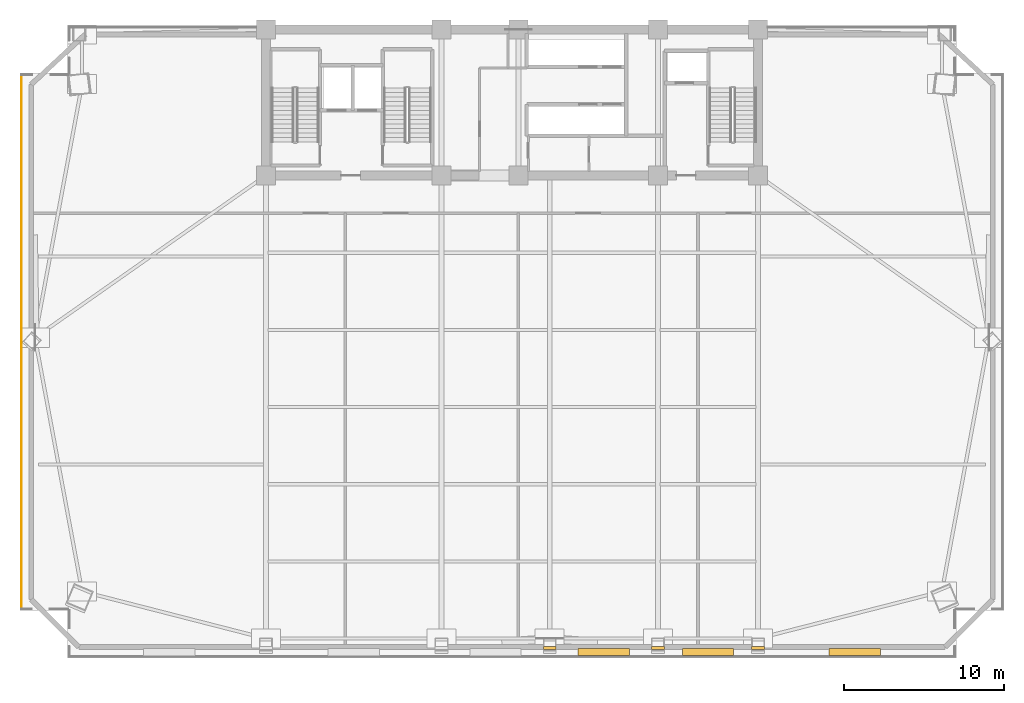
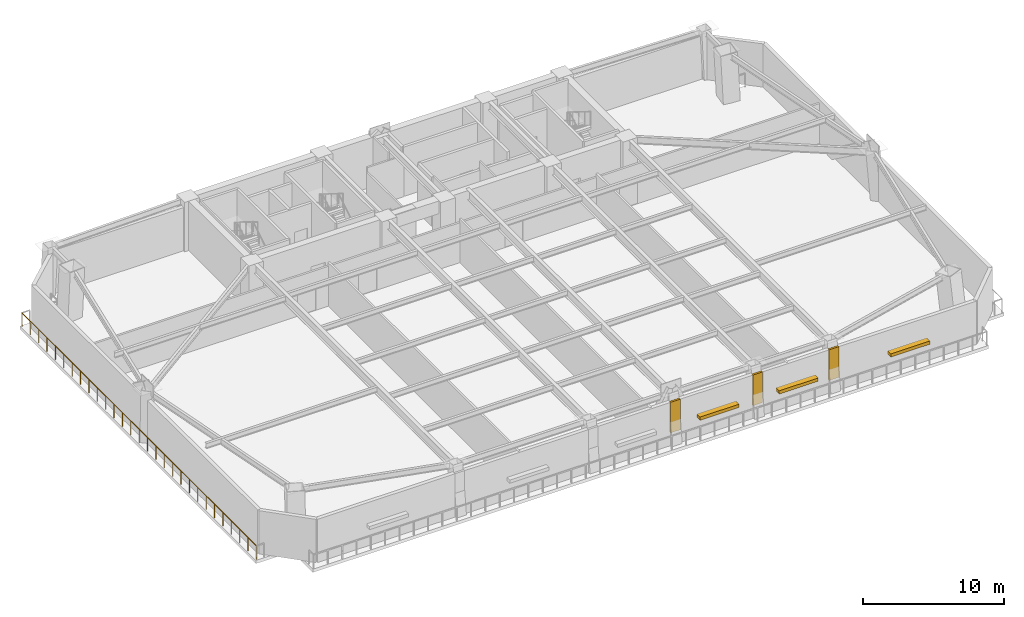
# One storey, part 6 of 9: 3 coverings, 3 shading devices, 1 railing.
"""IFC4 building model written with IfcOpenShell, lengths in metres."""

from ifc_helpers import new_model, si_unit, direction, frame, origin, origin_2d, place, context, subcontext, project, spatial, polyline, rectangle, outline, extrude, source, transform, mapped, material, layer, layer_set, type_object, element, save


model = new_model("IFC4")

# Units and contexts
model_context = context("Model", 3, precision=1e-05, world=origin(), true_north=direction((0.0, 1.0)))
body_context = subcontext(model_context, "Body", "Model", "MODEL_VIEW")
ifc_project = project(units=[si_unit("LENGTHUNIT", "METRE"), si_unit("AREAUNIT", "SQUARE_METRE"), si_unit("VOLUMEUNIT", "CUBIC_METRE"), si_unit("PLANEANGLEUNIT", "RADIAN"), si_unit("MASSUNIT", "GRAM", prefix="KILO")], contexts=[model_context])

# Site, building, storey
site_placement = place(None, origin())
site = spatial("IfcSite", under=ifc_project, at=site_placement, CompositionType="ELEMENT")
building_placement = place(site_placement, origin())
building = spatial("IfcBuilding", under=site, at=building_placement, Name="Giltprow Tower", CompositionType="ELEMENT")
storey_placement = place(building_placement, frame((0.0, 0.0, 144.699951171875)))
storey = spatial("IfcBuildingStorey", under=building, at=storey_placement, Name="L35", CompositionType="ELEMENT", Elevation=144.699951171875)

# Coverings
ifc_material = material(Name="Anodized bronze", Category="metal")
ifc_layer = layer(ifc_material, 0.0400390625, Name="Anodized bronze")
ifc_layer_set = layer_set([ifc_layer], Name="Anodized bronze")
covering_type = type_object("IfcCoveringType", Name="COV-SOFFIT-BRONZE", PredefinedType="CLADDING", material=ifc_layer_set)
covering_1_placement = place(storey_placement, frame((0.0, 0.0, 1.10009765625)))
element("IfcCovering", 1, at=covering_1_placement, inside=storey, type_object=covering_type, Name="L35 Setback Pier Closure Cladding S-3", PredefinedType="CLADDING", context=body_context, shape_type="SweptSolid", body=[
    extrude(outline(polyline([(37.14990234375, 7.89501953125), (37.949951171875, 7.89501953125), (37.949951171875, 8.06494140625), (37.14990234375, 8.06494140625), (37.14990234375, 7.89501953125)])), origin(), (0.0, 0.0, 1.0), 2.64990234375),
])
covering_2_placement = place(storey_placement, frame((0.0, 0.0, 1.10009765625)))
element("IfcCovering", 2, at=covering_2_placement, inside=storey, type_object=covering_type, Name="L35 Setback Pier Closure Cladding S-4", PredefinedType="CLADDING", context=body_context, shape_type="SweptSolid", body=[
    extrude(outline(polyline([(43.89990234375, 7.89501953125), (44.699951171875, 7.89501953125), (44.699951171875, 8.06494140625), (43.89990234375, 8.06494140625), (43.89990234375, 7.89501953125)])), origin(), (0.0, 0.0, 1.0), 2.64990234375),
])
covering_3_placement = place(storey_placement, frame((0.0, 0.0, 1.10009765625)))
element("IfcCovering", 3, at=covering_3_placement, inside=storey, type_object=covering_type, Name="L35 Setback Pier Closure Cladding S-5", PredefinedType="CLADDING", context=body_context, shape_type="SweptSolid", body=[
    extrude(outline(polyline([(50.14990234375, 7.89501953125), (50.949951171875, 7.89501953125), (50.949951171875, 8.06494140625), (50.14990234375, 8.06494140625), (50.14990234375, 7.89501953125)])), origin(), (0.0, 0.0, 1.0), 2.64990234375),
])

# Railing
railing_type = type_object("IfcRailingType", Name="RAIL-BALC-GUARD-1200", PredefinedType="BALUSTRADE", material=ifc_material)
railing_placement = place(storey_placement, frame((4.614013671875, 10.408935546875, 0.0)))
element("IfcRailing", 4, at=railing_placement, inside=storey, type_object=railing_type, Name="L35 Corner Apron Edge Balustrade 3", PredefinedType="BALUSTRADE", context=body_context, shape_type="SweptSolid", body=[
    extrude(rectangle(XDim=0.048095703125, YDim=0.048095703125, at=origin_2d()), frame((0.0, 0.0, 1.17578125), z_axis=(0.0, 1.0, 0.0), x_axis=(-1.0, 0.0, 0.0)), (0.0, 0.0, 1.0), 33.324951171875),
    extrude(rectangle(XDim=0.0419921875, YDim=0.0419921875, at=origin_2d()), origin(), (0.0, 0.0, 1.0), 1.15185546875),
    extrude(rectangle(XDim=0.0419921875, YDim=0.0419921875, at=origin_2d()), frame((0.0, 1.190185546875, 0.0)), (0.0, 0.0, 1.0), 1.15185546875),
    extrude(rectangle(XDim=0.0419921875, YDim=0.0419921875, at=origin_2d()), frame((0.0, 2.38037109375, 0.0)), (0.0, 0.0, 1.0), 1.15185546875),
    extrude(rectangle(XDim=0.0419921875, YDim=0.0419921875, at=origin_2d()), frame((0.0, 3.570556640625, 0.0)), (0.0, 0.0, 1.0), 1.15185546875),
    extrude(rectangle(XDim=0.0419921875, YDim=0.0419921875, at=origin_2d()), frame((0.0, 4.7607421875, 0.0)), (0.0, 0.0, 1.0), 1.15185546875),
    extrude(rectangle(XDim=0.0419921875, YDim=0.0419921875, at=origin_2d()), frame((0.0, 5.950927734375, 0.0)), (0.0, 0.0, 1.0), 1.15185546875),
    extrude(rectangle(XDim=0.0419921875, YDim=0.0419921875, at=origin_2d()), frame((0.0, 7.14111328125, 0.0)), (0.0, 0.0, 1.0), 1.15185546875),
    extrude(rectangle(XDim=0.0419921875, YDim=0.0419921875, at=origin_2d()), frame((0.0, 8.331298828125, 0.0)), (0.0, 0.0, 1.0), 1.15185546875),
    extrude(rectangle(XDim=0.0419921875, YDim=0.0419921875, at=origin_2d()), frame((0.0, 9.521484375, 0.0)), (0.0, 0.0, 1.0), 1.15185546875),
    extrude(rectangle(XDim=0.0419921875, YDim=0.0419921875, at=origin_2d()), frame((0.0, 10.711669921875, 0.0)), (0.0, 0.0, 1.0), 1.15185546875),
    extrude(rectangle(XDim=0.0419921875, YDim=0.0419921875, at=origin_2d()), frame((0.0, 11.90185546875, 0.0)), (0.0, 0.0, 1.0), 1.15185546875),
    extrude(rectangle(XDim=0.0419921875, YDim=0.0419921875, at=origin_2d()), frame((0.0, 13.092041015625, 0.0)), (0.0, 0.0, 1.0), 1.15185546875),
    extrude(rectangle(XDim=0.0419921875, YDim=0.0419921875, at=origin_2d()), frame((0.0, 14.2822265625, 0.0)), (0.0, 0.0, 1.0), 1.15185546875),
    extrude(rectangle(XDim=0.0419921875, YDim=0.0419921875, at=origin_2d()), frame((0.0, 15.472412109375, 0.0)), (0.0, 0.0, 1.0), 1.15185546875),
    extrude(rectangle(XDim=0.0419921875, YDim=0.0419921875, at=origin_2d()), frame((0.0, 16.66259765625, 0.0)), (0.0, 0.0, 1.0), 1.15185546875),
    extrude(rectangle(XDim=0.0419921875, YDim=0.0419921875, at=origin_2d()), frame((0.0, 17.8525390625, 0.0)), (0.0, 0.0, 1.0), 1.15185546875),
    extrude(rectangle(XDim=0.0419921875, YDim=0.0419921875, at=origin_2d()), frame((0.0, 19.042724609375, 0.0)), (0.0, 0.0, 1.0), 1.15185546875),
    extrude(rectangle(XDim=0.0419921875, YDim=0.0419921875, at=origin_2d()), frame((0.0, 20.23291015625, 0.0)), (0.0, 0.0, 1.0), 1.15185546875),
    extrude(rectangle(XDim=0.0419921875, YDim=0.0419921875, at=origin_2d()), frame((0.0, 21.423095703125, 0.0)), (0.0, 0.0, 1.0), 1.15185546875),
    extrude(rectangle(XDim=0.0419921875, YDim=0.0419921875, at=origin_2d()), frame((0.0, 22.61328125, 0.0)), (0.0, 0.0, 1.0), 1.15185546875),
    extrude(rectangle(XDim=0.0419921875, YDim=0.0419921875, at=origin_2d()), frame((0.0, 23.803466796875, 0.0)), (0.0, 0.0, 1.0), 1.15185546875),
    extrude(rectangle(XDim=0.0419921875, YDim=0.0419921875, at=origin_2d()), frame((0.0, 24.99365234375, 0.0)), (0.0, 0.0, 1.0), 1.15185546875),
    extrude(rectangle(XDim=0.0419921875, YDim=0.0419921875, at=origin_2d()), frame((0.0, 26.183837890625, 0.0)), (0.0, 0.0, 1.0), 1.15185546875),
    extrude(rectangle(XDim=0.0419921875, YDim=0.0419921875, at=origin_2d()), frame((0.0, 27.3740234375, 0.0)), (0.0, 0.0, 1.0), 1.15185546875),
    extrude(rectangle(XDim=0.0419921875, YDim=0.0419921875, at=origin_2d()), frame((0.0, 28.564208984375, 0.0)), (0.0, 0.0, 1.0), 1.15185546875),
    extrude(rectangle(XDim=0.0419921875, YDim=0.0419921875, at=origin_2d()), frame((0.0, 29.75439453125, 0.0)), (0.0, 0.0, 1.0), 1.15185546875),
    extrude(rectangle(XDim=0.0419921875, YDim=0.0419921875, at=origin_2d()), frame((0.0, 30.944580078125, 0.0)), (0.0, 0.0, 1.0), 1.15185546875),
    extrude(rectangle(XDim=0.0419921875, YDim=0.0419921875, at=origin_2d()), frame((0.0, 32.134765625, 0.0)), (0.0, 0.0, 1.0), 1.15185546875),
    extrude(rectangle(XDim=0.0419921875, YDim=0.0419921875, at=origin_2d()), frame((0.0, 33.324951171875, 0.0)), (0.0, 0.0, 1.0), 1.15185546875),
])

# Shading devices
shading_device_type = type_object("IfcShadingDeviceType", Name="SHD-LOUVRE-320", PredefinedType="JALOUSIE", material=ifc_material)
shared_shape = source(origin(), body_context, "Body", "SweptSolid", [
    extrude(rectangle(XDim=3.199951171875, YDim=0.449951171875, at=origin_2d()), origin(), (0.0, 0.0, 1.0), 0.280029296875),
])
for number, where, z_axis, x_axis, name in (
    (5, (40.925048828125, 7.735107421875, 1.66015625), (0.0, 0.0, 1.0), (1.0, 0.0, 0.0), "L35 Refuge Intake Louvre S-4"),
    (6, (47.425048828125, 7.735107421875, 1.66015625), (0.0, 0.0, 1.0), (1.0, 0.0, 0.0), "L35 Refuge Intake Louvre S-5"),
    (7, (56.5849609375, 7.735107421875, 1.66015625), (0.0, 0.0, 1.0), (1.0, 0.0, 0.0), "L35 Refuge Intake Louvre S-6"),
):
    element("IfcShadingDevice", number, at=place(storey_placement, frame(where, z_axis=z_axis, x_axis=x_axis)), inside=storey, type_object=shading_device_type, Name=name, PredefinedType="JALOUSIE", context=body_context, shape_type="MappedRepresentation", body=[
        mapped(shared_shape, transform((0.0, 0.0, 0.0), x_axis=(1.0, 0.0, 0.0), y_axis=(0.0, 1.0, 0.0), z_axis=(0.0, 0.0, 1.0), scale=1.0)),
    ])

save(model, "model.ifc")
